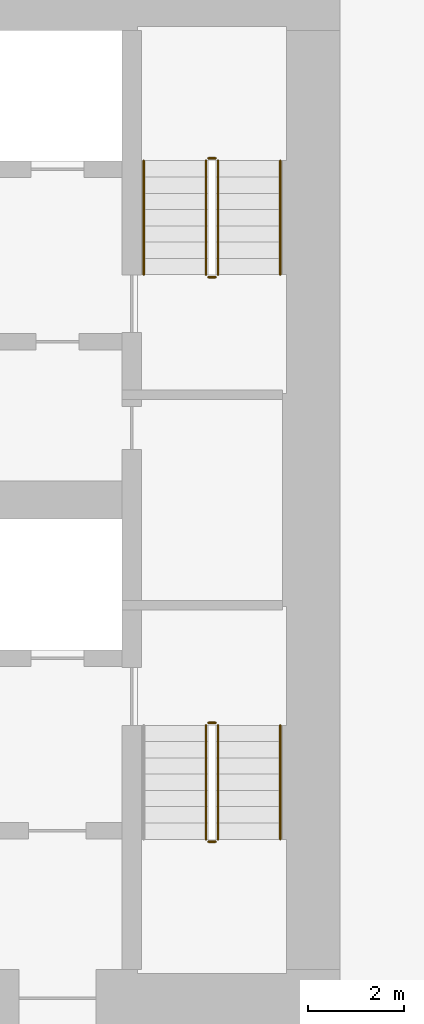
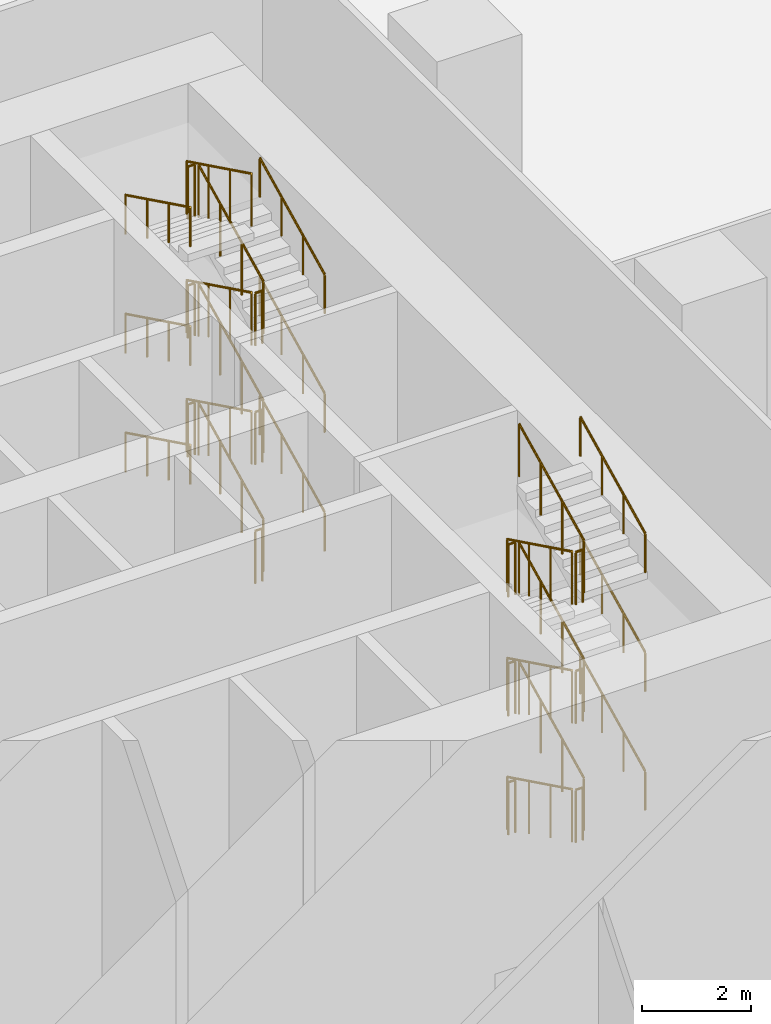
# One storey, part 21 of 22: 33 railings.
"""IFC4 building model written with IfcOpenShell, lengths in metres."""

from ifc_helpers import new_model, si_unit, direction, frame, origin, origin_2d, place, context, subcontext, project, spatial, circle, extrude, material, type_object, element, save


model = new_model("IFC4")

# Units and contexts
model_context = context("Model", 3, precision=1e-05, world=origin(), true_north=direction((0.0, 1.0)))
body_context = subcontext(model_context, "Body", "Model", "MODEL_VIEW")
ifc_project = project(units=[si_unit("LENGTHUNIT", "METRE"), si_unit("AREAUNIT", "SQUARE_METRE"), si_unit("VOLUMEUNIT", "CUBIC_METRE"), si_unit("PLANEANGLEUNIT", "RADIAN"), si_unit("MASSUNIT", "GRAM", prefix="KILO")], contexts=[model_context])

# Site, building, storey
site_placement = place(None, origin())
site = spatial("IfcSite", under=ifc_project, at=site_placement, CompositionType="ELEMENT")
building_placement = place(site_placement, origin())
building = spatial("IfcBuilding", under=site, at=building_placement, Name="Dongbaek Canopy Tower", CompositionType="ELEMENT")
storey_placement = place(building_placement, frame((0.0, 0.0, 19.0)))
storey = spatial("IfcBuildingStorey", under=building, at=storey_placement, Name="L02", CompositionType="ELEMENT", Elevation=19.0)

# Railings
ifc_material_1 = material(Name="Stainless steel tube and balusters", Category="steel")
railing_type_1 = type_object("IfcRailingType", Name="Stair guard 1200", PredefinedType="GUARDRAIL", material=ifc_material_1)
railing_1_placement = place(storey_placement, frame((11.449951171875, 4.699951171875, 0.166748046875)))
element("IfcRailing", 1, at=railing_1_placement, inside=storey, type_object=railing_type_1, Name="L02 ST-A stair guard 1", PredefinedType="GUARDRAIL", context=body_context, shape_type="SweptSolid", body=[
    extrude(circle(Radius=0.02392578125, at=origin_2d()), frame((0.0, 0.0, 1.17578125), z_axis=(0.0, 0.897954268197, 0.440088777664), x_axis=(-1.0, 0.0, 0.0)), (0.0, 0.0, 1.0), 2.650634765625),
    extrude(circle(Radius=0.02099609375, at=origin_2d()), origin(), (0.0, 0.0, 1.0), 1.15185546875),
    extrude(circle(Radius=0.02099609375, at=origin_2d()), frame((0.0, 0.79345703125, 0.388916015625)), (0.0, 0.0, 1.0), 1.15185546875),
    extrude(circle(Radius=0.02099609375, at=origin_2d()), frame((0.0, 1.586669921875, 0.777587890625)), (0.0, 0.0, 1.0), 1.15185546875),
    extrude(circle(Radius=0.02099609375, at=origin_2d()), frame((0.0, 2.380126953125, 1.16650390625)), (0.0, 0.0, 1.0), 1.15185546875),
])
railing_2_placement = place(storey_placement, frame((11.39990234375, 7.1298828125, 1.333251953125)))
element("IfcRailing", 2, at=railing_2_placement, inside=storey, type_object=railing_type_1, Name="L02 ST-A stair guard 2", PredefinedType="GUARDRAIL", context=body_context, shape_type="SweptSolid", body=[
    extrude(circle(Radius=0.02392578125, at=origin_2d()), frame((0.0, 0.0, 1.17578125), z_axis=(-1.0, 0.0, 0.0), x_axis=(0.0, -1.0, 0.0)), (0.0, 0.0, 1.0), 0.14990234375),
    extrude(circle(Radius=0.02099609375, at=origin_2d()), origin(), (0.0, 0.0, 1.0), 1.15185546875),
    extrude(circle(Radius=0.02099609375, at=origin_2d()), frame((-0.14990234375, 0.0, 0.0)), (0.0, 0.0, 1.0), 1.15185546875),
])
railing_3_placement = place(storey_placement, frame((11.199951171875, 7.080078125, 1.5)))
element("IfcRailing", 3, at=railing_3_placement, inside=storey, type_object=railing_type_1, Name="L02 ST-A stair guard 3", PredefinedType="GUARDRAIL", context=body_context, shape_type="SweptSolid", body=[
    extrude(circle(Radius=0.02392578125, at=origin_2d()), frame((0.0, 0.0, 1.17578125), z_axis=(0.0, -0.897917867668, 0.440163041295), x_axis=(1.0, 0.0, 0.0)), (0.0, 0.0, 1.0), 2.650634765625),
    extrude(circle(Radius=0.02099609375, at=origin_2d()), origin(), (0.0, 0.0, 1.0), 1.15185546875),
    extrude(circle(Radius=0.02099609375, at=origin_2d()), frame((0.0, -0.79345703125, 0.388916015625)), (0.0, 0.0, 1.0), 1.15185546875),
    extrude(circle(Radius=0.02099609375, at=origin_2d()), frame((0.0, -1.586669921875, 0.77783203125)), (0.0, 0.0, 1.0), 1.15185546875),
    extrude(circle(Radius=0.02099609375, at=origin_2d()), frame((0.0, -2.380126953125, 1.166748046875)), (0.0, 0.0, 1.0), 1.15185546875),
])
railing_4_placement = place(storey_placement, frame((11.39990234375, 4.64990234375, 2.666748046875)))
element("IfcRailing", 4, at=railing_4_placement, inside=storey, type_object=railing_type_1, Name="L02 ST-A stair guard 4", PredefinedType="GUARDRAIL", context=body_context, shape_type="SweptSolid", body=[
    extrude(circle(Radius=0.02392578125, at=origin_2d()), frame((0.0, 0.0, 1.17578125), z_axis=(-1.0, 0.0, 0.0), x_axis=(0.0, -1.0, 0.0)), (0.0, 0.0, 1.0), 0.14990234375),
    extrude(circle(Radius=0.02099609375, at=origin_2d()), origin(), (0.0, 0.0, 1.0), 1.15185546875),
    extrude(circle(Radius=0.02099609375, at=origin_2d()), frame((-0.14990234375, 0.0, 0.0)), (0.0, 0.0, 1.0), 1.15185546875),
])
railing_5_placement = place(storey_placement, frame((11.449951171875, 4.699951171875, 2.833251953125)))
element("IfcRailing", 5, at=railing_5_placement, inside=storey, type_object=railing_type_1, Name="L02 ST-A stair guard 5", PredefinedType="GUARDRAIL", context=body_context, shape_type="SweptSolid", body=[
    extrude(circle(Radius=0.02392578125, at=origin_2d()), frame((0.0, 0.0, 1.17578125), z_axis=(0.0, 0.897917867668, 0.440163041295), x_axis=(-1.0, 0.0, 0.0)), (0.0, 0.0, 1.0), 2.650634765625),
    extrude(circle(Radius=0.02099609375, at=origin_2d()), origin(), (0.0, 0.0, 1.0), 1.15185546875),
    extrude(circle(Radius=0.02099609375, at=origin_2d()), frame((0.0, 0.79345703125, 0.388916015625)), (0.0, 0.0, 1.0), 1.15185546875),
    extrude(circle(Radius=0.02099609375, at=origin_2d()), frame((0.0, 1.586669921875, 0.77783203125)), (0.0, 0.0, 1.0), 1.15185546875),
    extrude(circle(Radius=0.02099609375, at=origin_2d()), frame((0.0, 2.380126953125, 1.166748046875)), (0.0, 0.0, 1.0), 1.15185546875),
])
railing_6_placement = place(storey_placement, frame((11.39990234375, 7.1298828125, 4.0)))
element("IfcRailing", 6, at=railing_6_placement, inside=storey, type_object=railing_type_1, Name="L02 ST-A stair guard 6", PredefinedType="GUARDRAIL", context=body_context, shape_type="SweptSolid", body=[
    extrude(circle(Radius=0.02392578125, at=origin_2d()), frame((0.0, 0.0, 1.17578125), z_axis=(-1.0, 0.0, 0.0), x_axis=(0.0, -1.0, 0.0)), (0.0, 0.0, 1.0), 0.14990234375),
    extrude(circle(Radius=0.02099609375, at=origin_2d()), origin(), (0.0, 0.0, 1.0), 1.15185546875),
    extrude(circle(Radius=0.02099609375, at=origin_2d()), frame((-0.14990234375, 0.0, 0.0)), (0.0, 0.0, 1.0), 1.15185546875),
])
railing_7_placement = place(storey_placement, frame((11.199951171875, 7.080078125, 4.166748046875)))
element("IfcRailing", 7, at=railing_7_placement, inside=storey, type_object=railing_type_1, Name="L02 ST-A stair guard 7", PredefinedType="GUARDRAIL", context=body_context, shape_type="SweptSolid", body=[
    extrude(circle(Radius=0.02392578125, at=origin_2d()), frame((0.0, 0.0, 1.17578125), z_axis=(0.0, -0.897954268197, 0.440088777664), x_axis=(1.0, 0.0, 0.0)), (0.0, 0.0, 1.0), 2.650634765625),
    extrude(circle(Radius=0.02099609375, at=origin_2d()), origin(), (0.0, 0.0, 1.0), 1.15185546875),
    extrude(circle(Radius=0.02099609375, at=origin_2d()), frame((0.0, -0.79345703125, 0.388916015625)), (0.0, 0.0, 1.0), 1.15185546875),
    extrude(circle(Radius=0.02099609375, at=origin_2d()), frame((0.0, -1.586669921875, 0.777587890625)), (0.0, 0.0, 1.0), 1.15185546875),
    extrude(circle(Radius=0.02099609375, at=origin_2d()), frame((0.0, -2.380126953125, 1.16650390625)), (0.0, 0.0, 1.0), 1.15185546875),
])
railing_8_placement = place(storey_placement, frame((11.39990234375, 4.64990234375, 5.333251953125)))
element("IfcRailing", 8, at=railing_8_placement, inside=storey, type_object=railing_type_1, Name="L02 ST-A stair guard 8", PredefinedType="GUARDRAIL", context=body_context, shape_type="SweptSolid", body=[
    extrude(circle(Radius=0.02392578125, at=origin_2d()), frame((0.0, 0.0, 1.17578125), z_axis=(-1.0, 0.0, 0.0), x_axis=(0.0, -1.0, 0.0)), (0.0, 0.0, 1.0), 0.14990234375),
    extrude(circle(Radius=0.02099609375, at=origin_2d()), origin(), (0.0, 0.0, 1.0), 1.15185546875),
    extrude(circle(Radius=0.02099609375, at=origin_2d()), frame((-0.14990234375, 0.0, 0.0)), (0.0, 0.0, 1.0), 1.15185546875),
])
railing_9_placement = place(storey_placement, frame((11.449951171875, 4.699951171875, 5.5)))
element("IfcRailing", 9, at=railing_9_placement, inside=storey, type_object=railing_type_1, Name="L02 ST-A stair guard 9", PredefinedType="GUARDRAIL", context=body_context, shape_type="SweptSolid", body=[
    extrude(circle(Radius=0.02392578125, at=origin_2d()), frame((0.0, 0.0, 1.17578125), z_axis=(0.0, 0.897917867668, 0.440163041295), x_axis=(-1.0, 0.0, 0.0)), (0.0, 0.0, 1.0), 2.650634765625),
    extrude(circle(Radius=0.02099609375, at=origin_2d()), origin(), (0.0, 0.0, 1.0), 1.15185546875),
    extrude(circle(Radius=0.02099609375, at=origin_2d()), frame((0.0, 0.79345703125, 0.388916015625)), (0.0, 0.0, 1.0), 1.15185546875),
    extrude(circle(Radius=0.02099609375, at=origin_2d()), frame((0.0, 1.586669921875, 0.77783203125)), (0.0, 0.0, 1.0), 1.15185546875),
    extrude(circle(Radius=0.02099609375, at=origin_2d()), frame((0.0, 2.380126953125, 1.166748046875)), (0.0, 0.0, 1.0), 1.15185546875),
])
railing_10_placement = place(storey_placement, frame((11.39990234375, 7.1298828125, 6.666748046875)))
element("IfcRailing", 10, at=railing_10_placement, inside=storey, type_object=railing_type_1, Name="L02 ST-A stair guard 10", PredefinedType="GUARDRAIL", context=body_context, shape_type="SweptSolid", body=[
    extrude(circle(Radius=0.02392578125, at=origin_2d()), frame((0.0, 0.0, 1.17578125), z_axis=(-1.0, 0.0, 0.0), x_axis=(0.0, -1.0, 0.0)), (0.0, 0.0, 1.0), 0.14990234375),
    extrude(circle(Radius=0.02099609375, at=origin_2d()), origin(), (0.0, 0.0, 1.0), 1.15185546875),
    extrude(circle(Radius=0.02099609375, at=origin_2d()), frame((-0.14990234375, 0.0, 0.0)), (0.0, 0.0, 1.0), 1.15185546875),
])
railing_11_placement = place(storey_placement, frame((11.199951171875, 7.080078125, 6.833251953125)))
element("IfcRailing", 11, at=railing_11_placement, inside=storey, type_object=railing_type_1, Name="L02 ST-A stair guard 11", PredefinedType="GUARDRAIL", context=body_context, shape_type="SweptSolid", body=[
    extrude(circle(Radius=0.02392578125, at=origin_2d()), frame((0.0, 0.0, 1.17578125), z_axis=(0.0, -0.897917867668, 0.440163041295), x_axis=(1.0, 0.0, 0.0)), (0.0, 0.0, 1.0), 2.650634765625),
    extrude(circle(Radius=0.02099609375, at=origin_2d()), origin(), (0.0, 0.0, 1.0), 1.15185546875),
    extrude(circle(Radius=0.02099609375, at=origin_2d()), frame((0.0, -0.79345703125, 0.388916015625)), (0.0, 0.0, 1.0), 1.15185546875),
    extrude(circle(Radius=0.02099609375, at=origin_2d()), frame((0.0, -1.586669921875, 0.77783203125)), (0.0, 0.0, 1.0), 1.15185546875),
    extrude(circle(Radius=0.02099609375, at=origin_2d()), frame((0.0, -2.380126953125, 1.166748046875)), (0.0, 0.0, 1.0), 1.15185546875),
])
railing_12_placement = place(storey_placement, frame((11.39990234375, 4.64990234375, 0.0)))
element("IfcRailing", 12, at=railing_12_placement, inside=storey, type_object=railing_type_1, Name="L02 ST-A stair guard 12", PredefinedType="GUARDRAIL", context=body_context, shape_type="SweptSolid", body=[
    extrude(circle(Radius=0.02392578125, at=origin_2d()), frame((0.0, 0.0, 1.17578125), z_axis=(-1.0, 0.0, 0.0), x_axis=(0.0, -1.0, 0.0)), (0.0, 0.0, 1.0), 0.14990234375),
    extrude(circle(Radius=0.02099609375, at=origin_2d()), origin(), (0.0, 0.0, 1.0), 1.15185546875),
    extrude(circle(Radius=0.02099609375, at=origin_2d()), frame((-0.14990234375, 0.0, 0.0)), (0.0, 0.0, 1.0), 1.15185546875),
])
railing_13_placement = place(storey_placement, frame((11.199951171875, -4.699951171875, 0.166748046875)))
element("IfcRailing", 13, at=railing_13_placement, inside=storey, type_object=railing_type_1, Name="L02 ST-B stair guard 1", PredefinedType="GUARDRAIL", context=body_context, shape_type="SweptSolid", body=[
    extrude(circle(Radius=0.02392578125, at=origin_2d()), frame((0.0, 0.0, 1.17578125), z_axis=(0.0, -0.897954268197, 0.440088777664), x_axis=(1.0, 0.0, 0.0)), (0.0, 0.0, 1.0), 2.650634765625),
    extrude(circle(Radius=0.02099609375, at=origin_2d()), origin(), (0.0, 0.0, 1.0), 1.15185546875),
    extrude(circle(Radius=0.02099609375, at=origin_2d()), frame((0.0, -0.79345703125, 0.388916015625)), (0.0, 0.0, 1.0), 1.15185546875),
    extrude(circle(Radius=0.02099609375, at=origin_2d()), frame((0.0, -1.586669921875, 0.777587890625)), (0.0, 0.0, 1.0), 1.15185546875),
    extrude(circle(Radius=0.02099609375, at=origin_2d()), frame((0.0, -2.380126953125, 1.16650390625)), (0.0, 0.0, 1.0), 1.15185546875),
])
railing_14_placement = place(storey_placement, frame((11.25, -7.1298828125, 1.333251953125)))
element("IfcRailing", 14, at=railing_14_placement, inside=storey, type_object=railing_type_1, Name="L02 ST-B stair guard 2", PredefinedType="GUARDRAIL", context=body_context, shape_type="SweptSolid", body=[
    extrude(circle(Radius=0.02392578125, at=origin_2d()), frame((0.0, 0.0, 1.17578125), z_axis=(1.0, 0.0, 0.0), x_axis=(0.0, 1.0, 0.0)), (0.0, 0.0, 1.0), 0.14990234375),
    extrude(circle(Radius=0.02099609375, at=origin_2d()), origin(), (0.0, 0.0, 1.0), 1.15185546875),
    extrude(circle(Radius=0.02099609375, at=origin_2d()), frame((0.14990234375, 0.0, 0.0)), (0.0, 0.0, 1.0), 1.15185546875),
])
railing_15_placement = place(storey_placement, frame((11.449951171875, -7.080078125, 1.5)))
element("IfcRailing", 15, at=railing_15_placement, inside=storey, type_object=railing_type_1, Name="L02 ST-B stair guard 3", PredefinedType="GUARDRAIL", context=body_context, shape_type="SweptSolid", body=[
    extrude(circle(Radius=0.02392578125, at=origin_2d()), frame((0.0, 0.0, 1.17578125), z_axis=(0.0, 0.897917867668, 0.440163041295), x_axis=(-1.0, 0.0, 0.0)), (0.0, 0.0, 1.0), 2.650634765625),
    extrude(circle(Radius=0.02099609375, at=origin_2d()), origin(), (0.0, 0.0, 1.0), 1.15185546875),
    extrude(circle(Radius=0.02099609375, at=origin_2d()), frame((0.0, 0.79345703125, 0.388916015625)), (0.0, 0.0, 1.0), 1.15185546875),
    extrude(circle(Radius=0.02099609375, at=origin_2d()), frame((0.0, 1.586669921875, 0.77783203125)), (0.0, 0.0, 1.0), 1.15185546875),
    extrude(circle(Radius=0.02099609375, at=origin_2d()), frame((0.0, 2.380126953125, 1.166748046875)), (0.0, 0.0, 1.0), 1.15185546875),
])
railing_16_placement = place(storey_placement, frame((11.25, -4.64990234375, 2.666748046875)))
element("IfcRailing", 16, at=railing_16_placement, inside=storey, type_object=railing_type_1, Name="L02 ST-B stair guard 4", PredefinedType="GUARDRAIL", context=body_context, shape_type="SweptSolid", body=[
    extrude(circle(Radius=0.02392578125, at=origin_2d()), frame((0.0, 0.0, 1.17578125), z_axis=(1.0, 0.0, 0.0), x_axis=(0.0, 1.0, 0.0)), (0.0, 0.0, 1.0), 0.14990234375),
    extrude(circle(Radius=0.02099609375, at=origin_2d()), origin(), (0.0, 0.0, 1.0), 1.15185546875),
    extrude(circle(Radius=0.02099609375, at=origin_2d()), frame((0.14990234375, 0.0, 0.0)), (0.0, 0.0, 1.0), 1.15185546875),
])
railing_17_placement = place(storey_placement, frame((11.199951171875, -4.699951171875, 2.833251953125)))
element("IfcRailing", 17, at=railing_17_placement, inside=storey, type_object=railing_type_1, Name="L02 ST-B stair guard 5", PredefinedType="GUARDRAIL", context=body_context, shape_type="SweptSolid", body=[
    extrude(circle(Radius=0.02392578125, at=origin_2d()), frame((0.0, 0.0, 1.17578125), z_axis=(0.0, -0.897917867668, 0.440163041295), x_axis=(1.0, 0.0, 0.0)), (0.0, 0.0, 1.0), 2.650634765625),
    extrude(circle(Radius=0.02099609375, at=origin_2d()), origin(), (0.0, 0.0, 1.0), 1.15185546875),
    extrude(circle(Radius=0.02099609375, at=origin_2d()), frame((0.0, -0.79345703125, 0.388916015625)), (0.0, 0.0, 1.0), 1.15185546875),
    extrude(circle(Radius=0.02099609375, at=origin_2d()), frame((0.0, -1.586669921875, 0.77783203125)), (0.0, 0.0, 1.0), 1.15185546875),
    extrude(circle(Radius=0.02099609375, at=origin_2d()), frame((0.0, -2.380126953125, 1.166748046875)), (0.0, 0.0, 1.0), 1.15185546875),
])
railing_18_placement = place(storey_placement, frame((11.25, -7.1298828125, 4.0)))
element("IfcRailing", 18, at=railing_18_placement, inside=storey, type_object=railing_type_1, Name="L02 ST-B stair guard 6", PredefinedType="GUARDRAIL", context=body_context, shape_type="SweptSolid", body=[
    extrude(circle(Radius=0.02392578125, at=origin_2d()), frame((0.0, 0.0, 1.17578125), z_axis=(1.0, 0.0, 0.0), x_axis=(0.0, 1.0, 0.0)), (0.0, 0.0, 1.0), 0.14990234375),
    extrude(circle(Radius=0.02099609375, at=origin_2d()), origin(), (0.0, 0.0, 1.0), 1.15185546875),
    extrude(circle(Radius=0.02099609375, at=origin_2d()), frame((0.14990234375, 0.0, 0.0)), (0.0, 0.0, 1.0), 1.15185546875),
])
railing_19_placement = place(storey_placement, frame((11.449951171875, -7.080078125, 4.166748046875)))
element("IfcRailing", 19, at=railing_19_placement, inside=storey, type_object=railing_type_1, Name="L02 ST-B stair guard 7", PredefinedType="GUARDRAIL", context=body_context, shape_type="SweptSolid", body=[
    extrude(circle(Radius=0.02392578125, at=origin_2d()), frame((0.0, 0.0, 1.17578125), z_axis=(0.0, 0.897954268197, 0.440088777664), x_axis=(-1.0, 0.0, 0.0)), (0.0, 0.0, 1.0), 2.650634765625),
    extrude(circle(Radius=0.02099609375, at=origin_2d()), origin(), (0.0, 0.0, 1.0), 1.15185546875),
    extrude(circle(Radius=0.02099609375, at=origin_2d()), frame((0.0, 0.79345703125, 0.388916015625)), (0.0, 0.0, 1.0), 1.15185546875),
    extrude(circle(Radius=0.02099609375, at=origin_2d()), frame((0.0, 1.586669921875, 0.777587890625)), (0.0, 0.0, 1.0), 1.15185546875),
    extrude(circle(Radius=0.02099609375, at=origin_2d()), frame((0.0, 2.380126953125, 1.16650390625)), (0.0, 0.0, 1.0), 1.15185546875),
])
railing_20_placement = place(storey_placement, frame((11.25, -4.64990234375, 5.333251953125)))
element("IfcRailing", 20, at=railing_20_placement, inside=storey, type_object=railing_type_1, Name="L02 ST-B stair guard 8", PredefinedType="GUARDRAIL", context=body_context, shape_type="SweptSolid", body=[
    extrude(circle(Radius=0.02392578125, at=origin_2d()), frame((0.0, 0.0, 1.17578125), z_axis=(1.0, 0.0, 0.0), x_axis=(0.0, 1.0, 0.0)), (0.0, 0.0, 1.0), 0.14990234375),
    extrude(circle(Radius=0.02099609375, at=origin_2d()), origin(), (0.0, 0.0, 1.0), 1.15185546875),
    extrude(circle(Radius=0.02099609375, at=origin_2d()), frame((0.14990234375, 0.0, 0.0)), (0.0, 0.0, 1.0), 1.15185546875),
])
railing_21_placement = place(storey_placement, frame((11.199951171875, -4.699951171875, 5.5)))
element("IfcRailing", 21, at=railing_21_placement, inside=storey, type_object=railing_type_1, Name="L02 ST-B stair guard 9", PredefinedType="GUARDRAIL", context=body_context, shape_type="SweptSolid", body=[
    extrude(circle(Radius=0.02392578125, at=origin_2d()), frame((0.0, 0.0, 1.17578125), z_axis=(0.0, -0.897917867668, 0.440163041295), x_axis=(1.0, 0.0, 0.0)), (0.0, 0.0, 1.0), 2.650634765625),
    extrude(circle(Radius=0.02099609375, at=origin_2d()), origin(), (0.0, 0.0, 1.0), 1.15185546875),
    extrude(circle(Radius=0.02099609375, at=origin_2d()), frame((0.0, -0.79345703125, 0.388916015625)), (0.0, 0.0, 1.0), 1.15185546875),
    extrude(circle(Radius=0.02099609375, at=origin_2d()), frame((0.0, -1.586669921875, 0.77783203125)), (0.0, 0.0, 1.0), 1.15185546875),
    extrude(circle(Radius=0.02099609375, at=origin_2d()), frame((0.0, -2.380126953125, 1.166748046875)), (0.0, 0.0, 1.0), 1.15185546875),
])
railing_22_placement = place(storey_placement, frame((11.25, -7.1298828125, 6.666748046875)))
element("IfcRailing", 22, at=railing_22_placement, inside=storey, type_object=railing_type_1, Name="L02 ST-B stair guard 10", PredefinedType="GUARDRAIL", context=body_context, shape_type="SweptSolid", body=[
    extrude(circle(Radius=0.02392578125, at=origin_2d()), frame((0.0, 0.0, 1.17578125), z_axis=(1.0, 0.0, 0.0), x_axis=(0.0, 1.0, 0.0)), (0.0, 0.0, 1.0), 0.14990234375),
    extrude(circle(Radius=0.02099609375, at=origin_2d()), origin(), (0.0, 0.0, 1.0), 1.15185546875),
    extrude(circle(Radius=0.02099609375, at=origin_2d()), frame((0.14990234375, 0.0, 0.0)), (0.0, 0.0, 1.0), 1.15185546875),
])
railing_23_placement = place(storey_placement, frame((11.449951171875, -7.080078125, 6.833251953125)))
element("IfcRailing", 23, at=railing_23_placement, inside=storey, type_object=railing_type_1, Name="L02 ST-B stair guard 11", PredefinedType="GUARDRAIL", context=body_context, shape_type="SweptSolid", body=[
    extrude(circle(Radius=0.02392578125, at=origin_2d()), frame((0.0, 0.0, 1.17578125), z_axis=(0.0, 0.897917867668, 0.440163041295), x_axis=(-1.0, 0.0, 0.0)), (0.0, 0.0, 1.0), 2.650634765625),
    extrude(circle(Radius=0.02099609375, at=origin_2d()), origin(), (0.0, 0.0, 1.0), 1.15185546875),
    extrude(circle(Radius=0.02099609375, at=origin_2d()), frame((0.0, 0.79345703125, 0.388916015625)), (0.0, 0.0, 1.0), 1.15185546875),
    extrude(circle(Radius=0.02099609375, at=origin_2d()), frame((0.0, 1.586669921875, 0.77783203125)), (0.0, 0.0, 1.0), 1.15185546875),
    extrude(circle(Radius=0.02099609375, at=origin_2d()), frame((0.0, 2.380126953125, 1.166748046875)), (0.0, 0.0, 1.0), 1.15185546875),
])
railing_24_placement = place(storey_placement, frame((11.25, -4.64990234375, 0.0)))
element("IfcRailing", 24, at=railing_24_placement, inside=storey, type_object=railing_type_1, Name="L02 ST-B stair guard 12", PredefinedType="GUARDRAIL", context=body_context, shape_type="SweptSolid", body=[
    extrude(circle(Radius=0.02392578125, at=origin_2d()), frame((0.0, 0.0, 1.17578125), z_axis=(1.0, 0.0, 0.0), x_axis=(0.0, 1.0, 0.0)), (0.0, 0.0, 1.0), 0.14990234375),
    extrude(circle(Radius=0.02099609375, at=origin_2d()), origin(), (0.0, 0.0, 1.0), 1.15185546875),
    extrude(circle(Radius=0.02099609375, at=origin_2d()), frame((0.14990234375, 0.0, 0.0)), (0.0, 0.0, 1.0), 1.15185546875),
])
ifc_material_2 = material(Name="Stainless steel tube", Category="steel")
railing_type_2 = type_object("IfcRailingType", Name="Stair handrail 900", PredefinedType="HANDRAIL", material=ifc_material_2)
railing_25_placement = place(storey_placement, frame((12.75, 4.699951171875, 0.166748046875)))
element("IfcRailing", 25, at=railing_25_placement, inside=storey, type_object=railing_type_2, Name="L02 ST-A stair handrail 1", PredefinedType="HANDRAIL", context=body_context, shape_type="SweptSolid", body=[
    extrude(circle(Radius=0.02392578125, at=origin_2d()), frame((0.0, 0.0, 0.8759765625), z_axis=(0.0, 0.897954268197, 0.440088777664), x_axis=(-1.0, 0.0, 0.0)), (0.0, 0.0, 1.0), 2.650634765625),
    extrude(circle(Radius=0.02099609375, at=origin_2d()), origin(), (0.0, 0.0, 1.0), 0.851806640625),
    extrude(circle(Radius=0.02099609375, at=origin_2d()), frame((0.0, 0.79345703125, 0.388916015625)), (0.0, 0.0, 1.0), 0.851806640625),
    extrude(circle(Radius=0.02099609375, at=origin_2d()), frame((0.0, 1.586669921875, 0.777587890625)), (0.0, 0.0, 1.0), 0.851806640625),
    extrude(circle(Radius=0.02099609375, at=origin_2d()), frame((0.0, 2.380126953125, 1.16650390625)), (0.0, 0.0, 1.0), 0.851806640625),
])
railing_26_placement = place(storey_placement, frame((9.89990234375, 7.080078125, 1.5)))
element("IfcRailing", 26, at=railing_26_placement, inside=storey, type_object=railing_type_2, Name="L02 ST-A stair handrail 2", PredefinedType="HANDRAIL", context=body_context, shape_type="SweptSolid", body=[
    extrude(circle(Radius=0.02392578125, at=origin_2d()), frame((0.0, 0.0, 0.8759765625), z_axis=(0.0, -0.897917867668, 0.440163041295), x_axis=(1.0, 0.0, 0.0)), (0.0, 0.0, 1.0), 2.650634765625),
    extrude(circle(Radius=0.02099609375, at=origin_2d()), origin(), (0.0, 0.0, 1.0), 0.851806640625),
    extrude(circle(Radius=0.02099609375, at=origin_2d()), frame((0.0, -0.79345703125, 0.388916015625)), (0.0, 0.0, 1.0), 0.851806640625),
    extrude(circle(Radius=0.02099609375, at=origin_2d()), frame((0.0, -1.586669921875, 0.77783203125)), (0.0, 0.0, 1.0), 0.851806640625),
    extrude(circle(Radius=0.02099609375, at=origin_2d()), frame((0.0, -2.380126953125, 1.166748046875)), (0.0, 0.0, 1.0), 0.851806640625),
])
railing_27_placement = place(storey_placement, frame((12.75, 4.699951171875, 2.833251953125)))
element("IfcRailing", 27, at=railing_27_placement, inside=storey, type_object=railing_type_2, Name="L02 ST-A stair handrail 3", PredefinedType="HANDRAIL", context=body_context, shape_type="SweptSolid", body=[
    extrude(circle(Radius=0.02392578125, at=origin_2d()), frame((0.0, 0.0, 0.8759765625), z_axis=(0.0, 0.897917867668, 0.440163041295), x_axis=(-1.0, 0.0, 0.0)), (0.0, 0.0, 1.0), 2.650634765625),
    extrude(circle(Radius=0.02099609375, at=origin_2d()), origin(), (0.0, 0.0, 1.0), 0.851806640625),
    extrude(circle(Radius=0.02099609375, at=origin_2d()), frame((0.0, 0.79345703125, 0.388916015625)), (0.0, 0.0, 1.0), 0.851806640625),
    extrude(circle(Radius=0.02099609375, at=origin_2d()), frame((0.0, 1.586669921875, 0.77783203125)), (0.0, 0.0, 1.0), 0.851806640625),
    extrude(circle(Radius=0.02099609375, at=origin_2d()), frame((0.0, 2.380126953125, 1.166748046875)), (0.0, 0.0, 1.0), 0.851806640625),
])
railing_28_placement = place(storey_placement, frame((9.89990234375, 7.080078125, 4.166748046875)))
element("IfcRailing", 28, at=railing_28_placement, inside=storey, type_object=railing_type_2, Name="L02 ST-A stair handrail 4", PredefinedType="HANDRAIL", context=body_context, shape_type="SweptSolid", body=[
    extrude(circle(Radius=0.02392578125, at=origin_2d()), frame((0.0, 0.0, 0.8759765625), z_axis=(0.0, -0.897954268197, 0.440088777664), x_axis=(1.0, 0.0, 0.0)), (0.0, 0.0, 1.0), 2.650634765625),
    extrude(circle(Radius=0.02099609375, at=origin_2d()), origin(), (0.0, 0.0, 1.0), 0.851806640625),
    extrude(circle(Radius=0.02099609375, at=origin_2d()), frame((0.0, -0.79345703125, 0.388916015625)), (0.0, 0.0, 1.0), 0.851806640625),
    extrude(circle(Radius=0.02099609375, at=origin_2d()), frame((0.0, -1.586669921875, 0.777587890625)), (0.0, 0.0, 1.0), 0.851806640625),
    extrude(circle(Radius=0.02099609375, at=origin_2d()), frame((0.0, -2.380126953125, 1.16650390625)), (0.0, 0.0, 1.0), 0.851806640625),
])
railing_29_placement = place(storey_placement, frame((12.75, 4.699951171875, 5.5)))
element("IfcRailing", 29, at=railing_29_placement, inside=storey, type_object=railing_type_2, Name="L02 ST-A stair handrail 5", PredefinedType="HANDRAIL", context=body_context, shape_type="SweptSolid", body=[
    extrude(circle(Radius=0.02392578125, at=origin_2d()), frame((0.0, 0.0, 0.8759765625), z_axis=(0.0, 0.897917867668, 0.440163041295), x_axis=(-1.0, 0.0, 0.0)), (0.0, 0.0, 1.0), 2.650634765625),
    extrude(circle(Radius=0.02099609375, at=origin_2d()), origin(), (0.0, 0.0, 1.0), 0.851806640625),
    extrude(circle(Radius=0.02099609375, at=origin_2d()), frame((0.0, 0.79345703125, 0.388916015625)), (0.0, 0.0, 1.0), 0.851806640625),
    extrude(circle(Radius=0.02099609375, at=origin_2d()), frame((0.0, 1.586669921875, 0.77783203125)), (0.0, 0.0, 1.0), 0.851806640625),
    extrude(circle(Radius=0.02099609375, at=origin_2d()), frame((0.0, 2.380126953125, 1.166748046875)), (0.0, 0.0, 1.0), 0.851806640625),
])
railing_30_placement = place(storey_placement, frame((9.89990234375, 7.080078125, 6.833251953125)))
element("IfcRailing", 30, at=railing_30_placement, inside=storey, type_object=railing_type_2, Name="L02 ST-A stair handrail 6", PredefinedType="HANDRAIL", context=body_context, shape_type="SweptSolid", body=[
    extrude(circle(Radius=0.02392578125, at=origin_2d()), frame((0.0, 0.0, 0.8759765625), z_axis=(0.0, -0.897917867668, 0.440163041295), x_axis=(1.0, 0.0, 0.0)), (0.0, 0.0, 1.0), 2.650634765625),
    extrude(circle(Radius=0.02099609375, at=origin_2d()), origin(), (0.0, 0.0, 1.0), 0.851806640625),
    extrude(circle(Radius=0.02099609375, at=origin_2d()), frame((0.0, -0.79345703125, 0.388916015625)), (0.0, 0.0, 1.0), 0.851806640625),
    extrude(circle(Radius=0.02099609375, at=origin_2d()), frame((0.0, -1.586669921875, 0.77783203125)), (0.0, 0.0, 1.0), 0.851806640625),
    extrude(circle(Radius=0.02099609375, at=origin_2d()), frame((0.0, -2.380126953125, 1.166748046875)), (0.0, 0.0, 1.0), 0.851806640625),
])
railing_31_placement = place(storey_placement, frame((12.75, -7.080078125, 1.5)))
element("IfcRailing", 31, at=railing_31_placement, inside=storey, type_object=railing_type_2, Name="L02 ST-B stair handrail 2", PredefinedType="HANDRAIL", context=body_context, shape_type="SweptSolid", body=[
    extrude(circle(Radius=0.02392578125, at=origin_2d()), frame((0.0, 0.0, 0.8759765625), z_axis=(0.0, 0.897917867668, 0.440163041295), x_axis=(-1.0, 0.0, 0.0)), (0.0, 0.0, 1.0), 2.650634765625),
    extrude(circle(Radius=0.02099609375, at=origin_2d()), origin(), (0.0, 0.0, 1.0), 0.851806640625),
    extrude(circle(Radius=0.02099609375, at=origin_2d()), frame((0.0, 0.79345703125, 0.388916015625)), (0.0, 0.0, 1.0), 0.851806640625),
    extrude(circle(Radius=0.02099609375, at=origin_2d()), frame((0.0, 1.586669921875, 0.77783203125)), (0.0, 0.0, 1.0), 0.851806640625),
    extrude(circle(Radius=0.02099609375, at=origin_2d()), frame((0.0, 2.380126953125, 1.166748046875)), (0.0, 0.0, 1.0), 0.851806640625),
])
railing_32_placement = place(storey_placement, frame((12.75, -7.080078125, 4.166748046875)))
element("IfcRailing", 32, at=railing_32_placement, inside=storey, type_object=railing_type_2, Name="L02 ST-B stair handrail 4", PredefinedType="HANDRAIL", context=body_context, shape_type="SweptSolid", body=[
    extrude(circle(Radius=0.02392578125, at=origin_2d()), frame((0.0, 0.0, 0.8759765625), z_axis=(0.0, 0.897954268197, 0.440088777664), x_axis=(-1.0, 0.0, 0.0)), (0.0, 0.0, 1.0), 2.650634765625),
    extrude(circle(Radius=0.02099609375, at=origin_2d()), origin(), (0.0, 0.0, 1.0), 0.851806640625),
    extrude(circle(Radius=0.02099609375, at=origin_2d()), frame((0.0, 0.79345703125, 0.388916015625)), (0.0, 0.0, 1.0), 0.851806640625),
    extrude(circle(Radius=0.02099609375, at=origin_2d()), frame((0.0, 1.586669921875, 0.777587890625)), (0.0, 0.0, 1.0), 0.851806640625),
    extrude(circle(Radius=0.02099609375, at=origin_2d()), frame((0.0, 2.380126953125, 1.16650390625)), (0.0, 0.0, 1.0), 0.851806640625),
])
railing_33_placement = place(storey_placement, frame((12.75, -7.080078125, 6.833251953125)))
element("IfcRailing", 33, at=railing_33_placement, inside=storey, type_object=railing_type_2, Name="L02 ST-B stair handrail 6", PredefinedType="HANDRAIL", context=body_context, shape_type="SweptSolid", body=[
    extrude(circle(Radius=0.02392578125, at=origin_2d()), frame((0.0, 0.0, 0.8759765625), z_axis=(0.0, 0.897917867668, 0.440163041295), x_axis=(-1.0, 0.0, 0.0)), (0.0, 0.0, 1.0), 2.650634765625),
    extrude(circle(Radius=0.02099609375, at=origin_2d()), origin(), (0.0, 0.0, 1.0), 0.851806640625),
    extrude(circle(Radius=0.02099609375, at=origin_2d()), frame((0.0, 0.79345703125, 0.388916015625)), (0.0, 0.0, 1.0), 0.851806640625),
    extrude(circle(Radius=0.02099609375, at=origin_2d()), frame((0.0, 1.586669921875, 0.77783203125)), (0.0, 0.0, 1.0), 0.851806640625),
    extrude(circle(Radius=0.02099609375, at=origin_2d()), frame((0.0, 2.380126953125, 1.166748046875)), (0.0, 0.0, 1.0), 0.851806640625),
])

save(model, "model.ifc")
